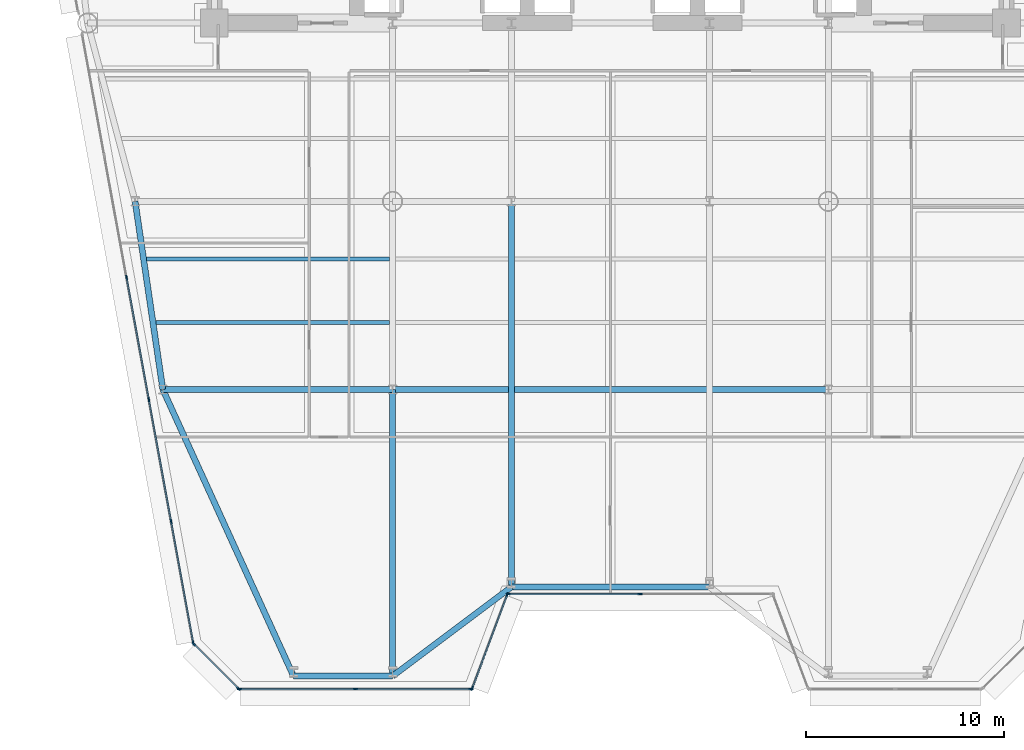
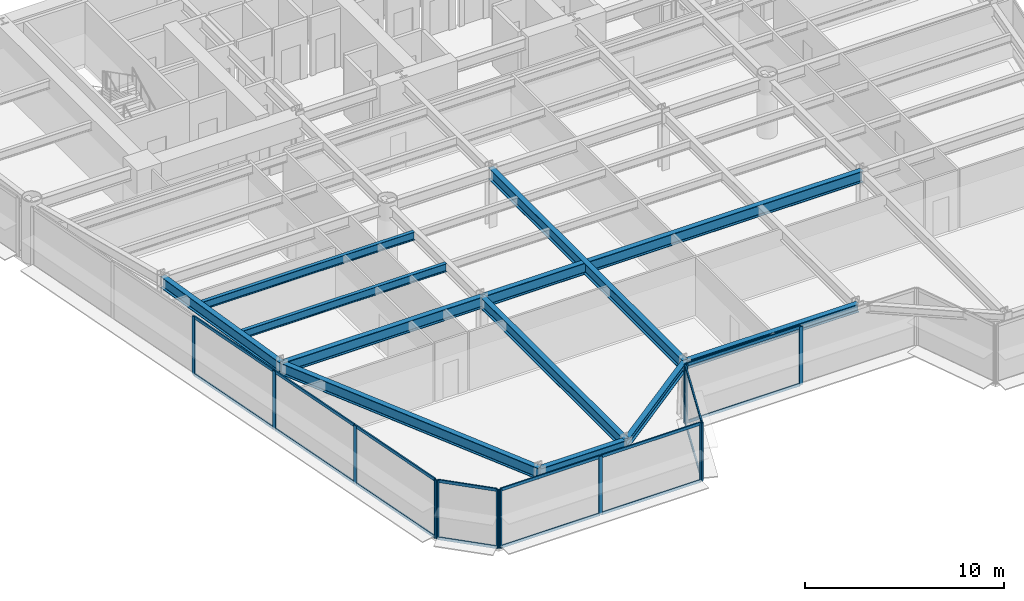
# One storey, part 2 of 14: 29 members, 11 beams, 5 elements without a shape of their own.
"""IFC4 building model written with IfcOpenShell, lengths in metres."""

from ifc_helpers import new_model, si_unit, direction, frame, origin, origin_2d, place, context, subcontext, project, spatial, rectangle, i_section, extrude, source, transform, mapped, material, layer, layer_set, material_profile, profile_set, type_object, element, aggregate, save


model = new_model("IFC4")

# Units and contexts
model_context = context("Model", 3, precision=1e-05, world=origin(), true_north=direction((0.0, 1.0)))
body_context = subcontext(model_context, "Body", "Model", "MODEL_VIEW")
ifc_project = project(units=[si_unit("LENGTHUNIT", "METRE"), si_unit("AREAUNIT", "SQUARE_METRE"), si_unit("VOLUMEUNIT", "CUBIC_METRE"), si_unit("PLANEANGLEUNIT", "RADIAN"), si_unit("MASSUNIT", "GRAM", prefix="KILO")], contexts=[model_context])

# Site, building, storey
site_placement = place(None, origin())
site = spatial("IfcSite", under=ifc_project, at=site_placement, CompositionType="ELEMENT")
building_placement = place(site_placement, origin())
building = spatial("IfcBuilding", under=site, at=building_placement, Name="Vaeldorn Concourse Tower", CompositionType="ELEMENT")
storey_placement = place(building_placement, frame((0.0, 0.0, 99.60009765625)))
storey = spatial("IfcBuildingStorey", under=building, at=storey_placement, Name="L25", CompositionType="ELEMENT", Elevation=99.60009765625)

# Beams
ifc_material_1 = material(Name="Steel S355", Category="steel")
ifc_material_profile_1 = material_profile(ifc_material_1, i_section(OverallWidth=0.199951171875, OverallDepth=0.5, WebThickness=0.01025390625, FlangeThickness=0.01611328125, FilletRadius=0.02099609375, at=origin_2d()), Name="IPE 500")
ifc_profile_set_1 = profile_set([ifc_material_profile_1], Name="Steel S355")
beam_type_1 = type_object("IfcBeamType", Name="BM-JS-IPE500", PredefinedType="JOIST", material=ifc_profile_set_1)
shared_shape_1 = source(origin(), body_context, "Body", "SweptSolid", [
    extrude(i_section(OverallWidth=0.199951171875, OverallDepth=0.5, WebThickness=0.01025390625, FlangeThickness=0.01611328125, FilletRadius=0.02099609375, at=origin_2d()), origin(), (0.0, 0.0, 1.0), 11.798095703125),
])
beam_1_placement = place(storey_placement, frame((11.052001953125, 21.3798828125, 3.329833984375), z_axis=(1.0, 0.0, 0.0), x_axis=(0.0, 1.0, 0.0)))
element("IfcBeam", 1, at=beam_1_placement, inside=storey, type_object=beam_type_1, Name="Beam JS-L25-W1-213", PredefinedType="JOIST", context=body_context, shape_type="MappedRepresentation", body=[
    mapped(shared_shape_1, transform((0.0, 0.0, 0.0), scale=1.0)),
])
shared_shape_2 = source(origin(), body_context, "Body", "SweptSolid", [
    extrude(i_section(OverallWidth=0.199951171875, OverallDepth=0.5, WebThickness=0.01025390625, FlangeThickness=0.01611328125, FilletRadius=0.02099609375, at=origin_2d()), origin(), (0.0, 0.0, 1.0), 12.269775390625),
])
beam_2_placement = place(storey_placement, frame((10.580322265625, 24.580078125, 3.329833984375), z_axis=(1.0, 0.0, 0.0), x_axis=(0.0, 1.0, 0.0)))
element("IfcBeam", 2, at=beam_2_placement, inside=storey, type_object=beam_type_1, Name="Beam JS-L25-W1-245", PredefinedType="JOIST", context=body_context, shape_type="MappedRepresentation", body=[
    mapped(shared_shape_2, transform((0.0, 0.0, 0.0), scale=1.0)),
])
ifc_material_profile_2 = material_profile(ifc_material_1, i_section(OverallWidth=0.300048828125, OverallDepth=0.5, WebThickness=0.014404296875, FlangeThickness=0.028076171875, FilletRadius=0.027099609375, at=origin_2d()), Name="HEB 500")
ifc_profile_set_2 = profile_set([ifc_material_profile_2], Name="Steel S355")
beam_type_2 = type_object("IfcBeamType", Name="BM-SP-HEB500", PredefinedType="SPANDREL", material=ifc_profile_set_2)
shared_shape_3 = source(origin(), body_context, "Body", "SweptSolid", [
    extrude(i_section(OverallWidth=0.300048828125, OverallDepth=0.5, WebThickness=0.014404296875, FlangeThickness=0.028076171875, FilletRadius=0.027099609375, at=origin_2d()), origin(), (0.0, 0.0, 1.0), 5.0),
])
beam_3_placement = place(storey_placement, frame((18.0, 3.52978515625, 3.329833984375), z_axis=(1.0, 0.0, 0.0), x_axis=(0.0, 1.0, 0.0)))
element("IfcBeam", 3, at=beam_3_placement, inside=storey, type_object=beam_type_2, Name="Beam BM-L25-C-SF1-C-SF2", PredefinedType="SPANDREL", context=body_context, shape_type="MappedRepresentation", body=[
    mapped(shared_shape_3, transform((0.0, 0.0, 0.0), scale=1.0)),
])
shared_shape_4 = source(origin(), body_context, "Body", "SweptSolid", [
    extrude(i_section(OverallWidth=0.300048828125, OverallDepth=0.5, WebThickness=0.014404296875, FlangeThickness=0.028076171875, FilletRadius=0.027099609375, at=origin_2d()), origin(), (0.0, 0.0, 1.0), 7.5),
])
beam_4_placement = place(storey_placement, frame((23.0, 3.52978515625, 3.329833984375), z_axis=(0.8, 0.6, 0.0), x_axis=(-0.6, 0.8, 0.0)))
element("IfcBeam", 4, at=beam_4_placement, inside=storey, type_object=beam_type_2, Name="Beam BM-L25-C-SF2-C-SF3", PredefinedType="SPANDREL", context=body_context, shape_type="MappedRepresentation", body=[
    mapped(shared_shape_4, transform((0.0, 0.0, 0.0), scale=1.0)),
])
shared_shape_5 = source(origin(), body_context, "Body", "SweptSolid", [
    extrude(i_section(OverallWidth=0.300048828125, OverallDepth=0.5, WebThickness=0.014404296875, FlangeThickness=0.028076171875, FilletRadius=0.027099609375, at=origin_2d()), origin(), (0.0, 0.0, 1.0), 10.0),
])
beam_5_placement = place(storey_placement, frame((29.0, 8.02978515625, 3.329833984375), z_axis=(1.0, 0.0, 0.0), x_axis=(0.0, 1.0, 0.0)))
element("IfcBeam", 5, at=beam_5_placement, inside=storey, type_object=beam_type_2, Name="Beam BM-L25-C-SF3-C-SF4", PredefinedType="SPANDREL", context=body_context, shape_type="MappedRepresentation", body=[
    mapped(shared_shape_5, transform((0.0, 0.0, 0.0), scale=1.0)),
])
ifc_material_profile_3 = material_profile(ifc_material_1, i_section(OverallWidth=0.300048828125, OverallDepth=0.699951171875, WebThickness=0.01708984375, FlangeThickness=0.031982421875, FilletRadius=0.027099609375, at=origin_2d()), Name="HEB 700")
ifc_profile_set_3 = profile_set([ifc_material_profile_3], Name="Steel S355")
beam_type_3 = type_object("IfcBeamType", Name="BM-PG-HEB700", PredefinedType="BEAM", material=ifc_profile_set_3)
shared_shape_6 = source(origin(), body_context, "Body", "SweptSolid", [
    extrude(i_section(OverallWidth=0.300048828125, OverallDepth=0.699951171875, WebThickness=0.01708984375, FlangeThickness=0.031982421875, FilletRadius=0.027099609375, at=origin_2d()), origin(), (0.0, 0.0, 1.0), 9.6025390625),
])
beam_6_placement = place(storey_placement, frame((10.0, 27.5, 3.22998046875), z_axis=(0.145783835977, -0.989316467652, 0.0), x_axis=(0.989316467652, 0.145783835977, 0.0)))
element("IfcBeam", 6, at=beam_6_placement, inside=storey, type_object=beam_type_3, Name="Beam BM-L25-C-FLW1-C-FLW2", PredefinedType="BEAM", context=body_context, shape_type="MappedRepresentation", body=[
    mapped(shared_shape_6, transform((0.0, 0.0, 0.0), scale=1.0)),
])
shared_shape_7 = source(origin(), body_context, "Body", "SweptSolid", [
    extrude(i_section(OverallWidth=0.300048828125, OverallDepth=0.699951171875, WebThickness=0.01708984375, FlangeThickness=0.031982421875, FilletRadius=0.027099609375, at=origin_2d()), origin(), (0.0, 0.0, 1.0), 11.60009765625),
])
beam_7_placement = place(storey_placement, frame((11.39990234375, 18.0, 3.22998046875), z_axis=(1.0, 0.0, 0.0), x_axis=(0.0, 1.0, 0.0)))
element("IfcBeam", 7, at=beam_7_placement, inside=storey, type_object=beam_type_3, Name="Beam BM-L25-C-FLW2-C-TW5", PredefinedType="BEAM", context=body_context, shape_type="MappedRepresentation", body=[
    mapped(shared_shape_7, transform((0.0, 0.0, 0.0), scale=1.0)),
])
shared_shape_8 = source(origin(), body_context, "Body", "SweptSolid", [
    extrude(i_section(OverallWidth=0.300048828125, OverallDepth=0.699951171875, WebThickness=0.01708984375, FlangeThickness=0.031982421875, FilletRadius=0.027099609375, at=origin_2d()), origin(), (0.0, 0.0, 1.0), 22.0),
])
beam_8_placement = place(storey_placement, frame((23.0, 18.0, 3.22998046875), z_axis=(1.0, 0.0, 0.0), x_axis=(0.0, 1.0, 0.0)))
element("IfcBeam", 8, at=beam_8_placement, inside=storey, type_object=beam_type_3, Name="Beam BM-L25-C-TW5-C-TW6", PredefinedType="BEAM", context=body_context, shape_type="MappedRepresentation", body=[
    mapped(shared_shape_8, transform((0.0, 0.0, 0.0), scale=1.0)),
])
shared_shape_9 = source(origin(), body_context, "Body", "SweptSolid", [
    extrude(i_section(OverallWidth=0.300048828125, OverallDepth=0.699951171875, WebThickness=0.01708984375, FlangeThickness=0.031982421875, FilletRadius=0.027099609375, at=origin_2d()), origin(), (0.0, 0.0, 1.0), 15.904296875),
])
beam_9_placement = place(storey_placement, frame((18.0, 3.52978515625, 3.22998046875), z_axis=(-0.414986899968, 0.909827386296, 0.0), x_axis=(-0.909827386296, -0.414986899968, 0.0)))
element("IfcBeam", 9, at=beam_9_placement, inside=storey, type_object=beam_type_3, Name="Beam BM-L25-C-SF1-C-FLW2", PredefinedType="BEAM", context=body_context, shape_type="MappedRepresentation", body=[
    mapped(shared_shape_9, transform((0.0, 0.0, 0.0), scale=1.0)),
])
shared_shape_10 = source(origin(), body_context, "Body", "SweptSolid", [
    extrude(i_section(OverallWidth=0.300048828125, OverallDepth=0.699951171875, WebThickness=0.01708984375, FlangeThickness=0.031982421875, FilletRadius=0.027099609375, at=origin_2d()), origin(), (0.0, 0.0, 1.0), 14.47021484375),
])
beam_10_placement = place(storey_placement, frame((23.0, 3.52978515625, 3.22998046875), z_axis=(0.0, 1.0, 0.0), x_axis=(-1.0, 0.0, 0.0)))
element("IfcBeam", 10, at=beam_10_placement, inside=storey, type_object=beam_type_3, Name="Beam BM-L25-C-SF2-C-TW5", PredefinedType="BEAM", context=body_context, shape_type="MappedRepresentation", body=[
    mapped(shared_shape_10, transform((0.0, 0.0, 0.0), scale=1.0)),
])
shared_shape_11 = source(origin(), body_context, "Body", "SweptSolid", [
    extrude(i_section(OverallWidth=0.300048828125, OverallDepth=0.699951171875, WebThickness=0.01708984375, FlangeThickness=0.031982421875, FilletRadius=0.027099609375, at=origin_2d()), origin(), (0.0, 0.0, 1.0), 19.47021484375),
])
beam_11_placement = place(storey_placement, frame((29.0, 8.02978515625, 3.22998046875), z_axis=(0.0, 1.0, 0.0), x_axis=(-1.0, 0.0, 0.0)))
element("IfcBeam", 11, at=beam_11_placement, inside=storey, type_object=beam_type_3, Name="Beam BM-L25-C-SF3-C-TW2", PredefinedType="BEAM", context=body_context, shape_type="MappedRepresentation", body=[
    mapped(shared_shape_11, transform((0.0, 0.0, 0.0), scale=1.0)),
])

# Curtain wall, members
ifc_material_2 = material(Name="Anodised Bronze Aluminium", Category="aluminium")
ifc_layer = layer(ifc_material_2, 0.2099609375)
ifc_layer_set = layer_set([ifc_layer], Name="Anodised Bronze Aluminium")
curtain_wall_type = type_object("IfcCurtainWallType", Name="CW-SYS-06", PredefinedType="NOTDEFINED", material=ifc_layer_set)
curtain_wall_1_placement = place(storey_placement, origin())
curtain_wall_1 = element("IfcCurtainWall", 12, at=curtain_wall_1_placement, inside=storey, type_object=curtain_wall_type, Name="Unitised Curtain Wall CW-L25-E01-1", PredefinedType="NOTDEFINED")
ifc_material_profile_4 = material_profile(ifc_material_2, rectangle(XDim=0.074951171875, YDim=0.219970703125, at=origin_2d()), Name="CWM 75x220")
ifc_profile_set_4 = profile_set([ifc_material_profile_4], Name="Anodised Bronze Aluminium")
member_type_1 = type_object("IfcMemberType", Name="CWM-BRONZE-220", PredefinedType="MULLION", material=ifc_profile_set_4)
shared_shape_12 = source(origin(), body_context, "Body", "SweptSolid", [
    extrude(rectangle(XDim=0.074951171875, YDim=0.219970703125, at=origin_2d()), origin(), (0.0, 0.0, 1.0), 3.579833984375),
])
member_1_placement = place(storey_placement, frame((15.279052734375, 2.868896484375, 0.0), z_axis=(0.0, 0.0, 1.0), x_axis=(0.0, 1.0, 0.0)))
member_1 = element("IfcMember", 13, at=member_1_placement, type_object=member_type_1, Name="CW-06 mullion 1", PredefinedType="MULLION", context=body_context, shape_type="MappedRepresentation", body=[
    mapped(shared_shape_12, transform((0.0, 0.0, 0.0), scale=1.0)),
])
member_2_placement = place(storey_placement, frame((21.120849609375, 2.868896484375, 0.0), z_axis=(0.0, 0.0, 1.0), x_axis=(0.0, 1.0, 0.0)))
member_2 = element("IfcMember", 14, at=member_2_placement, type_object=member_type_1, Name="CW-06 mullion 2", PredefinedType="MULLION", context=body_context, shape_type="MappedRepresentation", body=[
    mapped(shared_shape_12, transform((0.0, 0.0, 0.0), scale=1.0)),
])
member_3_placement = place(storey_placement, frame((26.96240234375, 2.868896484375, 0.0), z_axis=(0.0, 0.0, 1.0), x_axis=(0.0, 1.0, 0.0)))
member_3 = element("IfcMember", 15, at=member_3_placement, type_object=member_type_1, Name="CW-06 mullion 3", PredefinedType="MULLION", context=body_context, shape_type="MappedRepresentation", body=[
    mapped(shared_shape_12, transform((0.0, 0.0, 0.0), scale=1.0)),
])

curtain_wall_2_placement = place(storey_placement, origin())
curtain_wall_2 = element("IfcCurtainWall", 16, at=curtain_wall_2_placement, inside=storey, type_object=curtain_wall_type, Name="Unitised Curtain Wall CW-L25-E02-1", PredefinedType="NOTDEFINED")
member_4_placement = place(storey_placement, frame((27.01318359375, 2.904052734375, 0.0), z_axis=(0.0, 0.0, 1.0), x_axis=(-0.936329177566, 0.351123441595, 0.0)))
member_4 = element("IfcMember", 17, at=member_4_placement, type_object=member_type_1, Name="CW-06 mullion 1", PredefinedType="MULLION", context=body_context, shape_type="MappedRepresentation", body=[
    mapped(shared_shape_12, transform((0.0, 0.0, 0.0), scale=1.0)),
])
member_5_placement = place(storey_placement, frame((28.786865234375, 7.6337890625, 0.0), z_axis=(0.0, 0.0, 1.0), x_axis=(-0.936329177566, 0.351123441595, 0.0)))
member_5 = element("IfcMember", 18, at=member_5_placement, type_object=member_type_1, Name="CW-06 mullion 2", PredefinedType="MULLION", context=body_context, shape_type="MappedRepresentation", body=[
    mapped(shared_shape_12, transform((0.0, 0.0, 0.0), scale=1.0)),
])

curtain_wall_3_placement = place(storey_placement, origin())
curtain_wall_3 = element("IfcCurtainWall", 19, at=curtain_wall_3_placement, inside=storey, type_object=curtain_wall_type, Name="Unitised Curtain Wall CW-L25-E03-1", PredefinedType="NOTDEFINED")
member_6_placement = place(storey_placement, frame((28.83740234375, 7.6689453125, 0.0), z_axis=(0.0, 0.0, 1.0), x_axis=(0.0, 1.0, 0.0)))
member_6 = element("IfcMember", 20, at=member_6_placement, type_object=member_type_1, Name="CW-06 mullion 1", PredefinedType="MULLION", context=body_context, shape_type="MappedRepresentation", body=[
    mapped(shared_shape_12, transform((0.0, 0.0, 0.0), scale=1.0)),
])
member_7_placement = place(storey_placement, frame((35.5, 7.6689453125, 0.0), z_axis=(0.0, 0.0, 1.0), x_axis=(0.0, 1.0, 0.0)))
member_7 = element("IfcMember", 21, at=member_7_placement, type_object=member_type_1, Name="CW-06 mullion 2", PredefinedType="MULLION", context=body_context, shape_type="MappedRepresentation", body=[
    mapped(shared_shape_12, transform((0.0, 0.0, 0.0), scale=1.0)),
])

curtain_wall_4_placement = place(storey_placement, origin())
curtain_wall_4 = element("IfcCurtainWall", 22, at=curtain_wall_4_placement, inside=storey, type_object=curtain_wall_type, Name="Unitised Curtain Wall CW-L25-E11-2", PredefinedType="NOTDEFINED")
member_8_placement = place(storey_placement, frame((9.56884765625, 23.65673828125, 0.0), z_axis=(0.0, 0.0, 1.0), x_axis=(0.98376286924, 0.179473165416, 0.0)))
member_8 = element("IfcMember", 23, at=member_8_placement, type_object=member_type_1, Name="CW-06 mullion 3", PredefinedType="MULLION", context=body_context, shape_type="MappedRepresentation", body=[
    mapped(shared_shape_12, transform((0.0, 0.0, 0.0), scale=1.0)),
])
member_9_placement = place(storey_placement, frame((10.693115234375, 17.494140625, 0.0), z_axis=(0.0, 0.0, 1.0), x_axis=(0.98376286924, 0.179473165416, 0.0)))
member_9 = element("IfcMember", 24, at=member_9_placement, type_object=member_type_1, Name="CW-06 mullion 4", PredefinedType="MULLION", context=body_context, shape_type="MappedRepresentation", body=[
    mapped(shared_shape_12, transform((0.0, 0.0, 0.0), scale=1.0)),
])
member_10_placement = place(storey_placement, frame((11.8173828125, 11.33154296875, 0.0), z_axis=(0.0, 0.0, 1.0), x_axis=(0.98376286924, 0.179473165416, 0.0)))
member_10 = element("IfcMember", 25, at=member_10_placement, type_object=member_type_1, Name="CW-06 mullion 5", PredefinedType="MULLION", context=body_context, shape_type="MappedRepresentation", body=[
    mapped(shared_shape_12, transform((0.0, 0.0, 0.0), scale=1.0)),
])
member_11_placement = place(storey_placement, frame((12.934814453125, 5.205810546875, 0.0), z_axis=(0.0, 0.0, 1.0), x_axis=(0.98376286924, 0.179473165416, 0.0)))
member_11 = element("IfcMember", 26, at=member_11_placement, type_object=member_type_1, Name="CW-06 mullion 6", PredefinedType="MULLION", context=body_context, shape_type="MappedRepresentation", body=[
    mapped(shared_shape_12, transform((0.0, 0.0, 0.0), scale=1.0)),
])

curtain_wall_5_placement = place(storey_placement, origin())
curtain_wall_5 = element("IfcCurtainWall", 27, at=curtain_wall_5_placement, inside=storey, type_object=curtain_wall_type, Name="Unitised Curtain Wall CW-L25-E12-1", PredefinedType="NOTDEFINED")
member_12_placement = place(storey_placement, frame((12.968017578125, 5.142333984375, 0.0), z_axis=(0.0, 0.0, 1.0), x_axis=(0.707106781187, 0.707106781187, 0.0)))
member_12 = element("IfcMember", 28, at=member_12_placement, type_object=member_type_1, Name="CW-06 mullion 1", PredefinedType="MULLION", context=body_context, shape_type="MappedRepresentation", body=[
    mapped(shared_shape_12, transform((0.0, 0.0, 0.0), scale=1.0)),
])
member_13_placement = place(storey_placement, frame((15.215087890625, 2.8955078125, 0.0), z_axis=(0.0, 0.0, 1.0), x_axis=(0.707106781187, 0.707106781187, 0.0)))
member_13 = element("IfcMember", 29, at=member_13_placement, type_object=member_type_1, Name="CW-06 mullion 2", PredefinedType="MULLION", context=body_context, shape_type="MappedRepresentation", body=[
    mapped(shared_shape_12, transform((0.0, 0.0, 0.0), scale=1.0)),
])

# Member
ifc_material_profile_5 = material_profile(ifc_material_2, rectangle(XDim=0.074951171875, YDim=0.179931640625, at=origin_2d()), Name="CWT 75x180")
ifc_profile_set_5 = profile_set([ifc_material_profile_5], Name="Anodised Bronze Aluminium")
member_type_2 = type_object("IfcMemberType", Name="CWT-BRONZE-180", PredefinedType="USERDEFINED", material=ifc_profile_set_5)
shared_shape_13 = source(origin(), body_context, "Body", "SweptSolid", [
    extrude(rectangle(XDim=0.074951171875, YDim=0.179931640625, at=origin_2d()), origin(), (0.0, 0.0, 1.0), 4.976318359375),
])
member_14_placement = place(storey_placement, frame((27.0263671875, 2.939208984375, 0.037353515625), z_axis=(0.351128818119, 0.936327161352, 0.0), x_axis=(-0.936327161352, 0.351128818119, 0.0)))
member_14 = element("IfcMember", 30, at=member_14_placement, type_object=member_type_2, Name="CW-06 transom 1.1", ObjectType="TRANSOM", PredefinedType="USERDEFINED", context=body_context, shape_type="MappedRepresentation", body=[
    mapped(shared_shape_13, transform((0.0, 0.0, 0.0), scale=1.0)),
])

member_15_placement = place(storey_placement, frame((27.0263671875, 2.939208984375, 3.54248046875), z_axis=(0.351128818119, 0.936327161352, 0.0), x_axis=(-0.936327161352, 0.351128818119, 0.0)))
member_15 = element("IfcMember", 31, at=member_15_placement, type_object=member_type_2, Name="CW-06 transom 1.2", ObjectType="TRANSOM", PredefinedType="USERDEFINED", context=body_context, shape_type="MappedRepresentation", body=[
    mapped(shared_shape_13, transform((0.0, 0.0, 0.0), scale=1.0)),
])

aggregate(curtain_wall_2, [member_4, member_5, member_14, member_15])

shared_shape_14 = source(origin(), body_context, "Body", "SweptSolid", [
    extrude(rectangle(XDim=0.074951171875, YDim=0.179931640625, at=origin_2d()), origin(), (0.0, 0.0, 1.0), 6.58740234375),
])
member_16_placement = place(storey_placement, frame((28.875, 7.6689453125, 0.037353515625), z_axis=(1.0, 0.0, 0.0), x_axis=(0.0, 1.0, 0.0)))
member_16 = element("IfcMember", 32, at=member_16_placement, type_object=member_type_2, Name="CW-06 transom 1.1", ObjectType="TRANSOM", PredefinedType="USERDEFINED", context=body_context, shape_type="MappedRepresentation", body=[
    mapped(shared_shape_14, transform((0.0, 0.0, 0.0), scale=1.0)),
])

member_17_placement = place(storey_placement, frame((28.875, 7.6689453125, 3.54248046875), z_axis=(1.0, 0.0, 0.0), x_axis=(0.0, 1.0, 0.0)))
member_17 = element("IfcMember", 33, at=member_17_placement, type_object=member_type_2, Name="CW-06 transom 1.2", ObjectType="TRANSOM", PredefinedType="USERDEFINED", context=body_context, shape_type="MappedRepresentation", body=[
    mapped(shared_shape_14, transform((0.0, 0.0, 0.0), scale=1.0)),
])

aggregate(curtain_wall_3, [member_6, member_7, member_16, member_17])

shared_shape_15 = source(origin(), body_context, "Body", "SweptSolid", [
    extrude(rectangle(XDim=0.074951171875, YDim=0.179931640625, at=origin_2d()), origin(), (0.0, 0.0, 1.0), 3.102783203125),
])
member_18_placement = place(storey_placement, frame((12.99462890625, 5.115966796875, 0.037353515625), z_axis=(0.707067437368, -0.707146122816, 0.0), x_axis=(0.707146122816, 0.707067437368, 0.0)))
member_18 = element("IfcMember", 34, at=member_18_placement, type_object=member_type_2, Name="CW-06 transom 1.1", ObjectType="TRANSOM", PredefinedType="USERDEFINED", context=body_context, shape_type="MappedRepresentation", body=[
    mapped(shared_shape_15, transform((0.0, 0.0, 0.0), scale=1.0)),
])

member_19_placement = place(storey_placement, frame((12.99462890625, 5.115966796875, 3.54248046875), z_axis=(0.707067437368, -0.707146122816, 0.0), x_axis=(0.707146122816, 0.707067437368, 0.0)))
member_19 = element("IfcMember", 35, at=member_19_placement, type_object=member_type_2, Name="CW-06 transom 1.2", ObjectType="TRANSOM", PredefinedType="USERDEFINED", context=body_context, shape_type="MappedRepresentation", body=[
    mapped(shared_shape_15, transform((0.0, 0.0, 0.0), scale=1.0)),
])

aggregate(curtain_wall_5, [member_12, member_13, member_18, member_19])

shared_shape_16 = source(origin(), body_context, "Body", "SweptSolid", [
    extrude(rectangle(XDim=0.074951171875, YDim=0.179931640625, at=origin_2d()), origin(), (0.0, 0.0, 1.0), 5.7666015625),
])
member_20_placement = place(storey_placement, frame((15.316650390625, 2.868896484375, 0.037353515625), z_axis=(1.0, 0.0, 0.0), x_axis=(0.0, 1.0, 0.0)))
member_20 = element("IfcMember", 36, at=member_20_placement, type_object=member_type_2, Name="CW-06 transom 1.1", ObjectType="TRANSOM", PredefinedType="USERDEFINED", context=body_context, shape_type="MappedRepresentation", body=[
    mapped(shared_shape_16, transform((0.0, 0.0, 0.0), scale=1.0)),
])

member_21_placement = place(storey_placement, frame((15.316650390625, 2.868896484375, 3.54248046875), z_axis=(1.0, 0.0, 0.0), x_axis=(0.0, 1.0, 0.0)))
member_21 = element("IfcMember", 37, at=member_21_placement, type_object=member_type_2, Name="CW-06 transom 1.2", ObjectType="TRANSOM", PredefinedType="USERDEFINED", context=body_context, shape_type="MappedRepresentation", body=[
    mapped(shared_shape_16, transform((0.0, 0.0, 0.0), scale=1.0)),
])

shared_shape_17 = source(origin(), body_context, "Body", "SweptSolid", [
    extrude(rectangle(XDim=0.074951171875, YDim=0.179931640625, at=origin_2d()), origin(), (0.0, 0.0, 1.0), 5.766845703125),
])
member_22_placement = place(storey_placement, frame((21.158203125, 2.868896484375, 0.037353515625), z_axis=(1.0, 0.0, 0.0), x_axis=(0.0, 1.0, 0.0)))
member_22 = element("IfcMember", 38, at=member_22_placement, type_object=member_type_2, Name="CW-06 transom 2.1", ObjectType="TRANSOM", PredefinedType="USERDEFINED", context=body_context, shape_type="MappedRepresentation", body=[
    mapped(shared_shape_17, transform((0.0, 0.0, 0.0), scale=1.0)),
])

member_23_placement = place(storey_placement, frame((21.158203125, 2.868896484375, 3.54248046875), z_axis=(1.0, 0.0, 0.0), x_axis=(0.0, 1.0, 0.0)))
member_23 = element("IfcMember", 39, at=member_23_placement, type_object=member_type_2, Name="CW-06 transom 2.2", ObjectType="TRANSOM", PredefinedType="USERDEFINED", context=body_context, shape_type="MappedRepresentation", body=[
    mapped(shared_shape_17, transform((0.0, 0.0, 0.0), scale=1.0)),
])

aggregate(curtain_wall_1, [member_1, member_2, member_3, member_20, member_21, member_22, member_23])

shared_shape_18 = source(origin(), body_context, "Body", "SweptSolid", [
    extrude(rectangle(XDim=0.074951171875, YDim=0.179931640625, at=origin_2d()), origin(), (0.0, 0.0, 1.0), 6.15185546875),
])
member_24_placement = place(storey_placement, frame((11.823974609375, 11.294677734375, 0.037353515625), z_axis=(0.179496557121, -0.983758601478, 0.0), x_axis=(0.983758601478, 0.179496557121, 0.0)))
member_24 = element("IfcMember", 40, at=member_24_placement, type_object=member_type_2, Name="CW-06 transom 5.1", ObjectType="TRANSOM", PredefinedType="USERDEFINED", context=body_context, shape_type="MappedRepresentation", body=[
    mapped(shared_shape_18, transform((0.0, 0.0, 0.0), scale=1.0)),
])

member_25_placement = place(storey_placement, frame((11.823974609375, 11.294677734375, 3.54248046875), z_axis=(0.179496557121, -0.983758601478, 0.0), x_axis=(0.983758601478, 0.179496557121, 0.0)))
member_25 = element("IfcMember", 41, at=member_25_placement, type_object=member_type_2, Name="CW-06 transom 5.2", ObjectType="TRANSOM", PredefinedType="USERDEFINED", context=body_context, shape_type="MappedRepresentation", body=[
    mapped(shared_shape_18, transform((0.0, 0.0, 0.0), scale=1.0)),
])

shared_shape_19 = source(origin(), body_context, "Body", "SweptSolid", [
    extrude(rectangle(XDim=0.074951171875, YDim=0.179931640625, at=origin_2d()), origin(), (0.0, 0.0, 1.0), 6.189453125),
])
member_26_placement = place(storey_placement, frame((9.575439453125, 23.619873046875, 0.037353515625), z_axis=(0.17947550571, -0.983762442285, 0.0), x_axis=(0.983762442285, 0.17947550571, 0.0)))
member_26 = element("IfcMember", 42, at=member_26_placement, type_object=member_type_2, Name="CW-06 transom 3.1", ObjectType="TRANSOM", PredefinedType="USERDEFINED", context=body_context, shape_type="MappedRepresentation", body=[
    mapped(shared_shape_19, transform((0.0, 0.0, 0.0), scale=1.0)),
])

member_27_placement = place(storey_placement, frame((9.575439453125, 23.619873046875, 3.54248046875), z_axis=(0.17947550571, -0.983762442285, 0.0), x_axis=(0.983762442285, 0.17947550571, 0.0)))
member_27 = element("IfcMember", 43, at=member_27_placement, type_object=member_type_2, Name="CW-06 transom 3.2", ObjectType="TRANSOM", PredefinedType="USERDEFINED", context=body_context, shape_type="MappedRepresentation", body=[
    mapped(shared_shape_19, transform((0.0, 0.0, 0.0), scale=1.0)),
])

member_28_placement = place(storey_placement, frame((10.69970703125, 17.457275390625, 0.037353515625), z_axis=(0.17947550571, -0.983762442285, 0.0), x_axis=(0.983762442285, 0.17947550571, 0.0)))
member_28 = element("IfcMember", 44, at=member_28_placement, type_object=member_type_2, Name="CW-06 transom 4.1", ObjectType="TRANSOM", PredefinedType="USERDEFINED", context=body_context, shape_type="MappedRepresentation", body=[
    mapped(shared_shape_19, transform((0.0, 0.0, 0.0), scale=1.0)),
])

member_29_placement = place(storey_placement, frame((10.69970703125, 17.457275390625, 3.54248046875), z_axis=(0.17947550571, -0.983762442285, 0.0), x_axis=(0.983762442285, 0.17947550571, 0.0)))
member_29 = element("IfcMember", 45, at=member_29_placement, type_object=member_type_2, Name="CW-06 transom 4.2", ObjectType="TRANSOM", PredefinedType="USERDEFINED", context=body_context, shape_type="MappedRepresentation", body=[
    mapped(shared_shape_19, transform((0.0, 0.0, 0.0), scale=1.0)),
])

aggregate(curtain_wall_4, [member_8, member_9, member_10, member_11, member_26, member_27, member_28, member_29, member_24, member_25])

save(model, "model.ifc")
